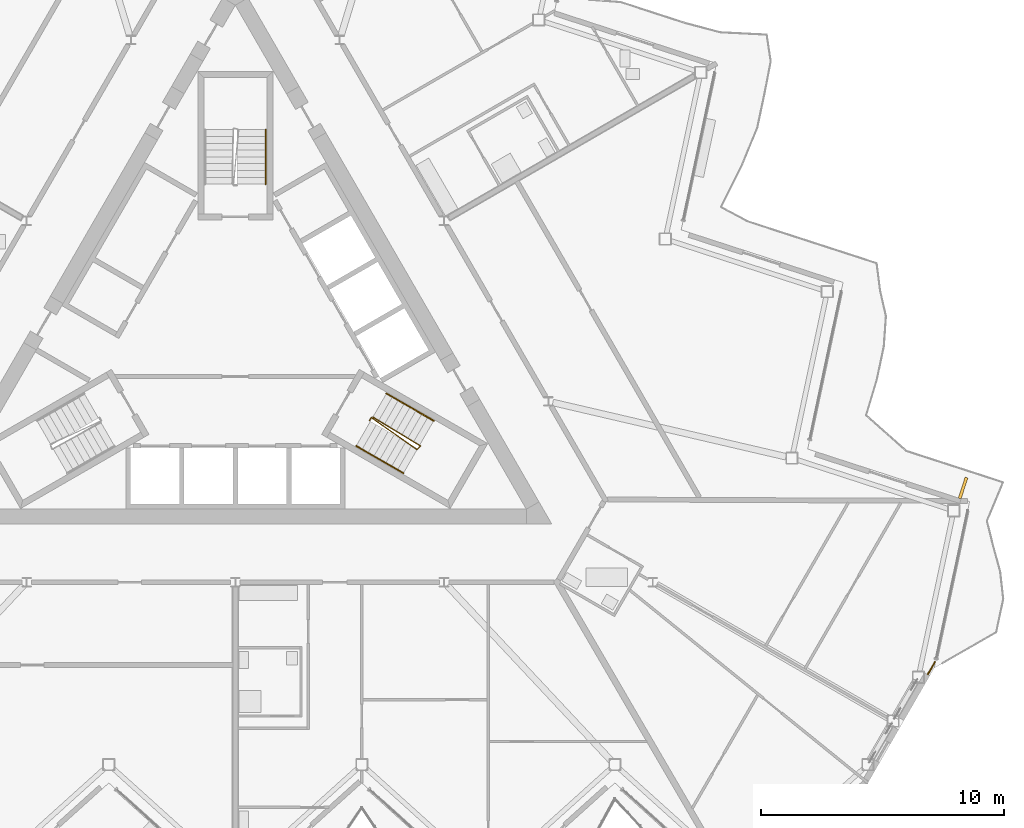
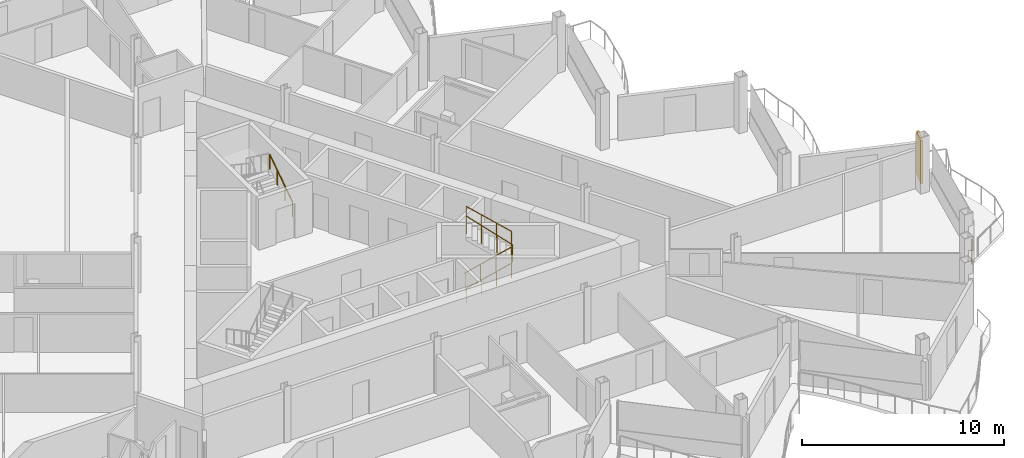
# One storey, part 22 of 26: 5 railings, 1 shading device.
"""IFC4 building model written with IfcOpenShell, lengths in metres."""

from ifc_helpers import new_model, si_unit, direction, frame, origin, origin_2d, place, context, subcontext, project, spatial, rectangle, circle, extrude, material, layer, layer_set, type_object, element, save


model = new_model("IFC4")

# Units and contexts
model_context = context("Model", 3, precision=1e-05, world=origin(), true_north=direction((0.0, 1.0)))
body_context = subcontext(model_context, "Body", "Model", "MODEL_VIEW")
ifc_project = project(units=[si_unit("LENGTHUNIT", "METRE"), si_unit("AREAUNIT", "SQUARE_METRE"), si_unit("VOLUMEUNIT", "CUBIC_METRE"), si_unit("PLANEANGLEUNIT", "RADIAN"), si_unit("MASSUNIT", "GRAM", prefix="KILO")], contexts=[model_context])

# Site, building, storey
site_placement = place(None, origin())
site = spatial("IfcSite", under=ifc_project, at=site_placement, CompositionType="ELEMENT")
building_placement = place(site_placement, origin())
building = spatial("IfcBuilding", under=site, at=building_placement, Name="Cormorant Prow Tower", CompositionType="ELEMENT")
storey_placement = place(building_placement, frame((0.0, 0.0, 367.800048828125)))
storey = spatial("IfcBuildingStorey", under=building, at=storey_placement, Name="L82", CompositionType="ELEMENT", Elevation=367.800048828125)

# Railings
ifc_material_1 = material(Name="Stainless steel", Category="steel")
railing_type_1 = type_object("IfcRailingType", Name="Facade corner guard 1100", PredefinedType="GUARDRAIL", material=ifc_material_1)
railing_1_placement = place(storey_placement, frame((28.7548828125, -13.18505859375, 0.0)))
element("IfcRailing", 1, at=railing_1_placement, inside=storey, type_object=railing_type_1, Name="Facade corner guard L82 1", PredefinedType="GUARDRAIL", context=body_context, shape_type="SweptSolid", body=[
    extrude(circle(Radius=0.02392578125, at=origin_2d()), frame((0.0, 0.0, 1.076171875), z_axis=(-0.495685716803, -0.868501969, 0.0), x_axis=(0.868501969, -0.495685716803, 0.0)), (0.0, 0.0, 1.0), 0.580322265625),
    extrude(circle(Radius=0.02099609375, at=origin_2d()), origin(), (0.0, 0.0, 1.0), 1.052001953125),
    extrude(circle(Radius=0.02099609375, at=origin_2d()), frame((-0.28759765625, -0.50390625, 0.0)), (0.0, 0.0, 1.0), 1.052001953125),
])
ifc_material_2 = material(Name="Stainless steel", Category="steel")
railing_type_2 = type_object("IfcRailingType", Name="Stair guard 1100", PredefinedType="GUARDRAIL", material=ifc_material_2)
railing_2_placement = place(storey_placement, frame((5.510009765625, -3.267822265625, 0.0)))
element("IfcRailing", 2, at=railing_2_placement, inside=storey, type_object=railing_type_2, Name="L82 ST2 stair guard 1", PredefinedType="GUARDRAIL", context=body_context, shape_type="SweptSolid", body=[
    extrude(circle(Radius=0.02392578125, at=origin_2d()), frame((0.0, 0.0, 1.076171875), z_axis=(0.501036270542, 0.865426285481, 0.0), x_axis=(-0.865426285481, 0.501036270542, 0.0)), (0.0, 0.0, 1.0), 0.150146484375),
    extrude(circle(Radius=0.02392578125, at=origin_2d()), frame((0.0751953125, 0.1298828125, 1.076171875), z_axis=(0.658670593711, -0.461060875852, 0.594622500196), x_axis=(0.573455215813, 0.819236910458, 0.0)), (0.0, 0.0, 1.0), 2.85888671875),
    extrude(circle(Radius=0.02392578125, at=origin_2d()), frame((1.958251953125, -1.188232421875, 2.77587890625), z_axis=(0.695164929852, 0.718850276695, 0.0), x_axis=(-0.718850276695, 0.695164929852, 0.0)), (0.0, 0.0, 1.0), 0.2060546875),
    extrude(circle(Radius=0.02392578125, at=origin_2d()), frame((2.1015625, -1.0400390625, 2.77587890625), z_axis=(-0.686515364547, 0.416565300991, 0.595961411712), x_axis=(-0.518752825935, -0.854924268918, 0.0)), (0.0, 0.0, 1.0), 2.8525390625),
    extrude(circle(Radius=0.02099609375, at=origin_2d()), origin(), (0.0, 0.0, 1.0), 1.052001953125),
    extrude(circle(Radius=0.02099609375, at=origin_2d()), frame((0.0751953125, 0.1298828125, 0.0)), (0.0, 0.0, 1.0), 1.052001953125),
    extrude(circle(Radius=0.02099609375, at=origin_2d()), frame((0.702880859375, -0.3095703125, 0.566650390625)), (0.0, 0.0, 1.0), 1.052001953125),
    extrude(circle(Radius=0.02099609375, at=origin_2d()), frame((1.33056640625, -0.748779296875, 1.13330078125)), (0.0, 0.0, 1.0), 1.052001953125),
    extrude(circle(Radius=0.02099609375, at=origin_2d()), frame((1.958251953125, -1.188232421875, 1.699951171875)), (0.0, 0.0, 1.0), 1.052001953125),
    extrude(circle(Radius=0.02099609375, at=origin_2d()), frame((2.1015625, -1.0400390625, 1.699951171875)), (0.0, 0.0, 1.0), 1.052001953125),
    extrude(circle(Radius=0.02099609375, at=origin_2d()), frame((1.44873046875, -0.64404296875, 2.2666015625)), (0.0, 0.0, 1.0), 1.052001953125),
    extrude(circle(Radius=0.02099609375, at=origin_2d()), frame((0.796142578125, -0.247802734375, 2.833251953125)), (0.0, 0.0, 1.0), 1.052001953125),
    extrude(circle(Radius=0.02099609375, at=origin_2d()), frame((0.143310546875, 0.148193359375, 3.39990234375)), (0.0, 0.0, 1.0), 1.052001953125),
])
ifc_material_3 = material(Name="Stainless steel", Category="steel")
railing_type_3 = type_object("IfcRailingType", Name="Stair handrail 900", PredefinedType="HANDRAIL", material=ifc_material_3)
railing_3_placement = place(storey_placement, frame((4.968994140625, -4.30517578125, 0.188720703125)))
element("IfcRailing", 3, at=railing_3_placement, inside=storey, type_object=railing_type_3, Name="L82 ST2 stair handrail 1", PredefinedType="HANDRAIL", context=body_context, shape_type="SweptSolid", body=[
    extrude(circle(Radius=0.02392578125, at=origin_2d()), frame((0.0, 0.0, 0.8759765625), z_axis=(0.717869644322, -0.414548260308, 0.559296802813), x_axis=(0.500077830873, 0.865980463445, 0.0)), (0.0, 0.0, 1.0), 2.701904296875),
    extrude(circle(Radius=0.02099609375, at=origin_2d()), origin(), (0.0, 0.0, 1.0), 0.851806640625),
    extrude(circle(Radius=0.02099609375, at=origin_2d()), frame((0.646484375, -0.373291015625, 0.503662109375)), (0.0, 0.0, 1.0), 0.851806640625),
    extrude(circle(Radius=0.02099609375, at=origin_2d()), frame((1.293212890625, -0.746826171875, 1.007568359375)), (0.0, 0.0, 1.0), 0.851806640625),
    extrude(circle(Radius=0.02099609375, at=origin_2d()), frame((1.939697265625, -1.1201171875, 1.51123046875)), (0.0, 0.0, 1.0), 0.851806640625),
])
railing_4_placement = place(storey_placement, frame((8.15283203125, -3.2705078125, 1.888916015625)))
element("IfcRailing", 4, at=railing_4_placement, inside=storey, type_object=railing_type_3, Name="L82 ST2 stair handrail 2", PredefinedType="HANDRAIL", context=body_context, shape_type="SweptSolid", body=[
    extrude(circle(Radius=0.02392578125, at=origin_2d()), frame((0.0, 0.0, 0.8759765625), z_axis=(-0.717976596433, 0.414467486514, 0.559219375198), x_axis=(-0.49994888933, -0.866054910533, 0.0)), (0.0, 0.0, 1.0), 2.701904296875),
    extrude(circle(Radius=0.02099609375, at=origin_2d()), origin(), (0.0, 0.0, 1.0), 0.851806640625),
    extrude(circle(Radius=0.02099609375, at=origin_2d()), frame((-0.646728515625, 0.373291015625, 0.503662109375)), (0.0, 0.0, 1.0), 0.851806640625),
    extrude(circle(Radius=0.02099609375, at=origin_2d()), frame((-1.293212890625, 0.74658203125, 1.00732421875)), (0.0, 0.0, 1.0), 0.851806640625),
    extrude(circle(Radius=0.02099609375, at=origin_2d()), frame((-1.93994140625, 1.119873046875, 1.510986328125)), (0.0, 0.0, 1.0), 0.851806640625),
])
railing_5_placement = place(storey_placement, frame((1.243896484375, 6.455810546875, 0.188720703125)))
element("IfcRailing", 5, at=railing_5_placement, inside=storey, type_object=railing_type_3, Name="L82 ST3 stair handrail 1", PredefinedType="HANDRAIL", context=body_context, shape_type="SweptSolid", body=[
    extrude(circle(Radius=0.02392578125, at=origin_2d()), frame((0.0, 0.0, 0.8759765625), z_axis=(0.0, 0.828979582247, 0.559278868023), x_axis=(-1.0, 0.0, 0.0)), (0.0, 0.0, 1.0), 2.7021484375),
    extrude(circle(Radius=0.02099609375, at=origin_2d()), origin(), (0.0, 0.0, 1.0), 0.851806640625),
    extrude(circle(Radius=0.02099609375, at=origin_2d()), frame((0.0, 0.74658203125, 0.503662109375)), (0.0, 0.0, 1.0), 0.851806640625),
    extrude(circle(Radius=0.02099609375, at=origin_2d()), frame((0.0, 1.493408203125, 1.007568359375)), (0.0, 0.0, 1.0), 0.851806640625),
    extrude(circle(Radius=0.02099609375, at=origin_2d()), frame((0.0, 2.239990234375, 1.51123046875)), (0.0, 0.0, 1.0), 0.851806640625),
])

# Shading device
ifc_material_4 = material(Name="Terracotta", Category="masonry")
ifc_layer = layer(ifc_material_4, 0.1201171875)
ifc_layer_set = layer_set([ifc_layer], Name="Terracotta")
shading_device_type = type_object("IfcShadingDeviceType", Name="Terracotta baguette fin 120x900x2600", PredefinedType="USERDEFINED", material=ifc_layer_set)
shading_device_placement = place(storey_placement, frame((29.913330078125, -6.033935546875, 0.0), z_axis=(0.0, 0.0, 1.0), x_axis=(-0.951056506549, 0.309017024369, 0.0)))
element("IfcShadingDevice", 6, at=shading_device_placement, inside=storey, type_object=shading_device_type, Name="Baguette fin ENE01", ObjectType="BAGUETTE", PredefinedType="USERDEFINED", context=body_context, shape_type="SweptSolid", body=[
    extrude(rectangle(XDim=0.1201171875, YDim=0.89990234375, at=origin_2d()), origin(), (0.0, 0.0, 1.0), 2.60009765625),
])

save(model, "model.ifc")
